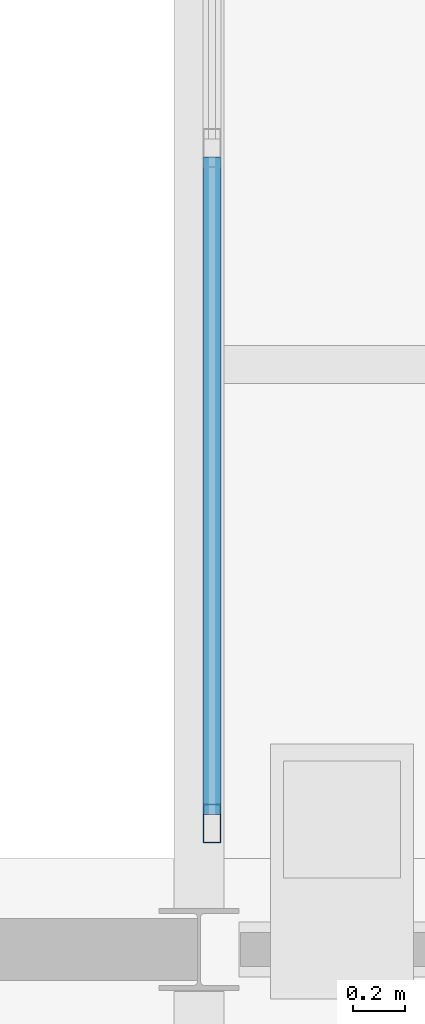
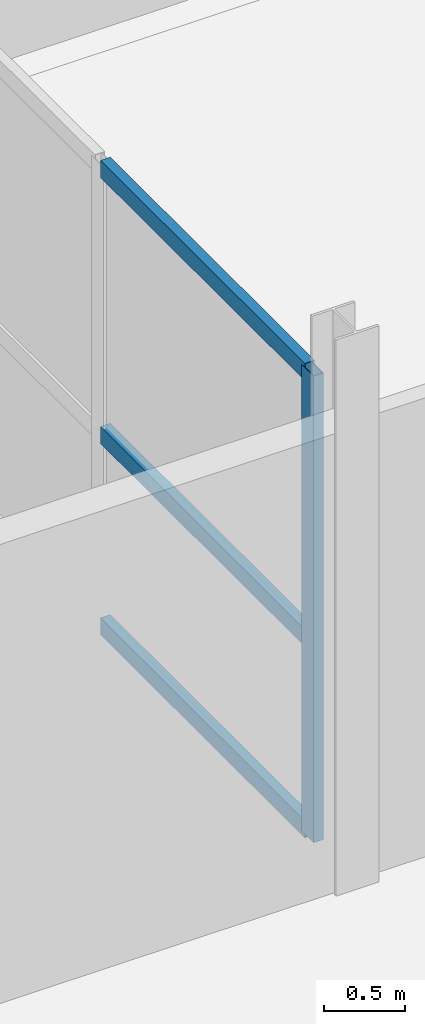
# One storey, part 15 of 60: 4 members, 1 element without a shape of its own.
"""IFC4 building model written with IfcOpenShell, lengths in metres."""

from ifc_helpers import new_model, si_unit, direction, frame, origin, origin_2d, place, context, subcontext, project, spatial, hollow_rectangle, extrude, material, layer, layer_set, material_profile, profile_set, type_object, element, aggregate, save


model = new_model("IFC4")

# Units and contexts
model_context = context("Model", 3, precision=1e-05, world=origin(), true_north=direction((0.0, 1.0)))
body_context = subcontext(model_context, "Body", "Model", "MODEL_VIEW")
ifc_project = project(units=[si_unit("LENGTHUNIT", "METRE"), si_unit("AREAUNIT", "SQUARE_METRE"), si_unit("VOLUMEUNIT", "CUBIC_METRE"), si_unit("PLANEANGLEUNIT", "RADIAN"), si_unit("MASSUNIT", "GRAM", prefix="KILO")], contexts=[model_context])

# Site, building, storey
site_placement = place(None, origin())
site = spatial("IfcSite", under=ifc_project, at=site_placement, CompositionType="ELEMENT")
building_placement = place(site_placement, origin())
building = spatial("IfcBuilding", under=site, at=building_placement, Name="Quillay Park Conservatory", CompositionType="ELEMENT")
storey_placement = place(building_placement, frame((0.0, 0.0, 9.89990234375)))
storey = spatial("IfcBuildingStorey", under=building, at=storey_placement, Name="L02", CompositionType="ELEMENT", Elevation=9.89990234375)

# Curtain wall, members
ifc_material_1 = material(Name="Thermally Broken Anodised Aluminium 6063-T6", Category="aluminium")
ifc_layer = layer(ifc_material_1, 0.155029296875)
ifc_layer_set = layer_set([ifc_layer], Name="UNITISED CURTAIN WALL BRIDGE (Thermally Broken Anodised Aluminium 6063-T6)")
curtain_wall_type = type_object("IfcCurtainWallType", Name="UNITISED CURTAIN WALL BRIDGE", PredefinedType="USERDEFINED", material=ifc_layer_set)
curtain_wall_placement = place(storey_placement, origin())
curtain_wall = element("IfcCurtainWall", 1, at=curtain_wall_placement, inside=storey, type_object=curtain_wall_type, Name="L02 Unitised Curtain Wall 217", ObjectType="UNITISED CURTAIN WALL", PredefinedType="USERDEFINED")
ifc_material_2 = material(Name="Thermally Broken Anodised Aluminium 6063-T6", Category="aluminium")
ifc_material_profile_1 = material_profile(ifc_material_2, hollow_rectangle(XDim=0.070068359375, YDim=0.14990234375, WallThickness=0.00341796875, at=origin_2d()), Name="AL70x150x3.5")
ifc_profile_set_1 = profile_set([ifc_material_profile_1], Name="Thermally Broken Anodised Aluminium 6063-T6")
member_type_1 = type_object("IfcMemberType", Name="CURTAIN WALL MULLION 70 X150", PredefinedType="MULLION", material=ifc_profile_set_1)
member_1_placement = place(storey_placement, frame((15.050048828125, 54.735107421875, 0.0), z_axis=(0.0, 0.0, 1.0), x_axis=(-1.0, 0.0, 0.0)))
member_1 = element("IfcMember", 2, at=member_1_placement, type_object=member_type_1, Name="CW-B1 mullion 1", PredefinedType="MULLION", context=body_context, shape_type="SweptSolid", body=[
    extrude(hollow_rectangle(XDim=0.070068359375, YDim=0.14990234375, WallThickness=0.00341796875, at=origin_2d()), origin(), (0.0, 0.0, 1.0), 3.524169921875),
])
ifc_material_3 = material(Name="Thermally Broken Anodised Aluminium 6063-T6", Category="aluminium")
ifc_material_profile_2 = material_profile(ifc_material_3, hollow_rectangle(XDim=0.070068359375, YDim=0.1298828125, WallThickness=0.003173828125, at=origin_2d()), Name="AL70x130x3.2")
ifc_profile_set_2 = profile_set([ifc_material_profile_2], Name="Thermally Broken Anodised Aluminium 6063-T6")
member_type_2 = type_object("IfcMemberType", Name="CURTAIN WALL TRANSOM 70 X130", PredefinedType="USERDEFINED", material=ifc_profile_set_2)
member_2_placement = place(storey_placement, frame((15.050048828125, 54.77001953125, 0.03515625), z_axis=(0.0, 1.0, 0.0), x_axis=(-1.0, 0.0, 0.0)))
member_2 = element("IfcMember", 3, at=member_2_placement, type_object=member_type_2, Name="CW-B1 transom 1.1", ObjectType="TRANSOM", PredefinedType="USERDEFINED", context=body_context, shape_type="SweptSolid", body=[
    extrude(hollow_rectangle(XDim=0.070068359375, YDim=0.1298828125, WallThickness=0.003173828125, at=origin_2d()), origin(), (0.0, 0.0, 1.0), 2.5283203125),
])
member_3_placement = place(storey_placement, frame((15.050048828125, 54.77001953125, 1.480224609375), z_axis=(0.0, 1.0, 0.0), x_axis=(-1.0, 0.0, 0.0)))
member_3 = element("IfcMember", 4, at=member_3_placement, type_object=member_type_2, Name="CW-B1 transom 1.2", ObjectType="TRANSOM", PredefinedType="USERDEFINED", context=body_context, shape_type="SweptSolid", body=[
    extrude(hollow_rectangle(XDim=0.070068359375, YDim=0.1298828125, WallThickness=0.003173828125, at=origin_2d()), origin(), (0.0, 0.0, 1.0), 2.5283203125),
])
member_4_placement = place(storey_placement, frame((15.050048828125, 54.77001953125, 3.489013671875), z_axis=(0.0, 1.0, 0.0), x_axis=(-1.0, 0.0, 0.0)))
member_4 = element("IfcMember", 5, at=member_4_placement, type_object=member_type_2, Name="CW-B1 transom 1.3", ObjectType="TRANSOM", PredefinedType="USERDEFINED", context=body_context, shape_type="SweptSolid", body=[
    extrude(hollow_rectangle(XDim=0.070068359375, YDim=0.1298828125, WallThickness=0.003173828125, at=origin_2d()), origin(), (0.0, 0.0, 1.0), 2.5283203125),
])
aggregate(curtain_wall, [member_1, member_2, member_3, member_4])

save(model, "model.ifc")
